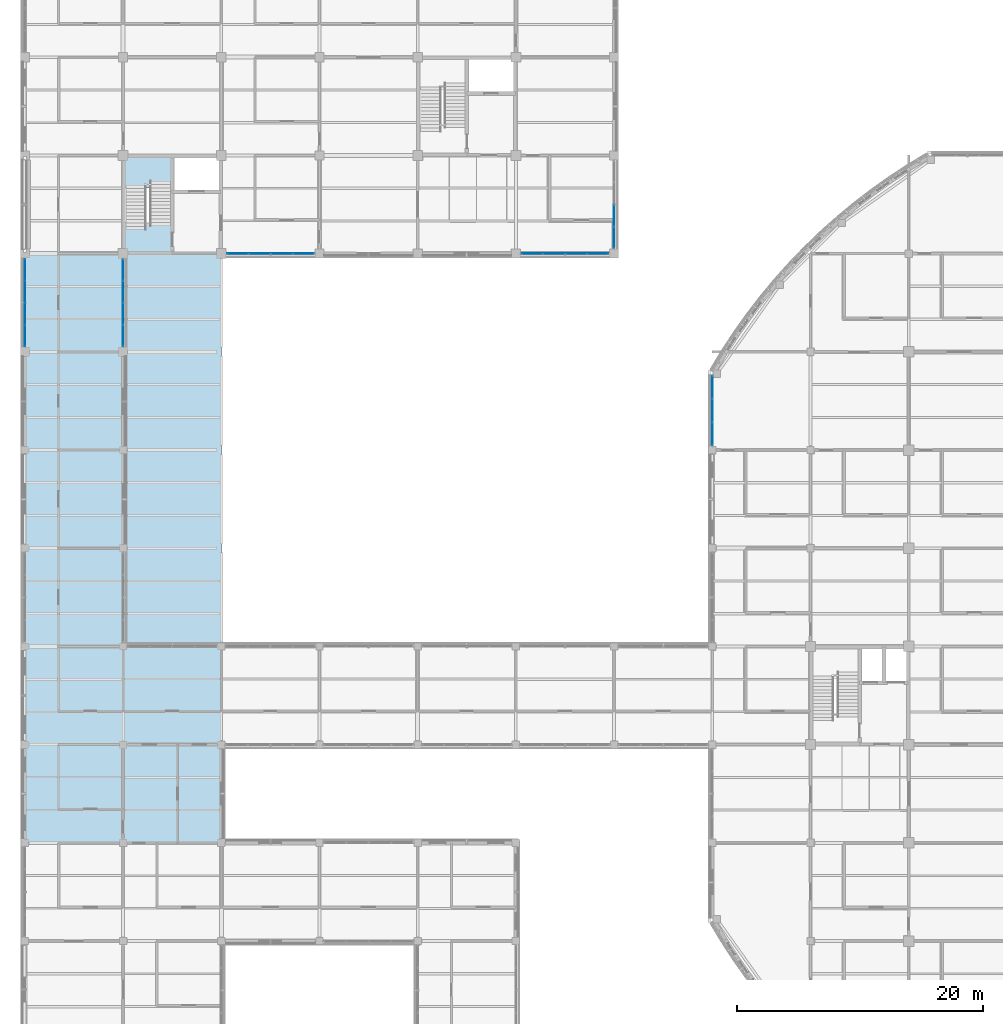
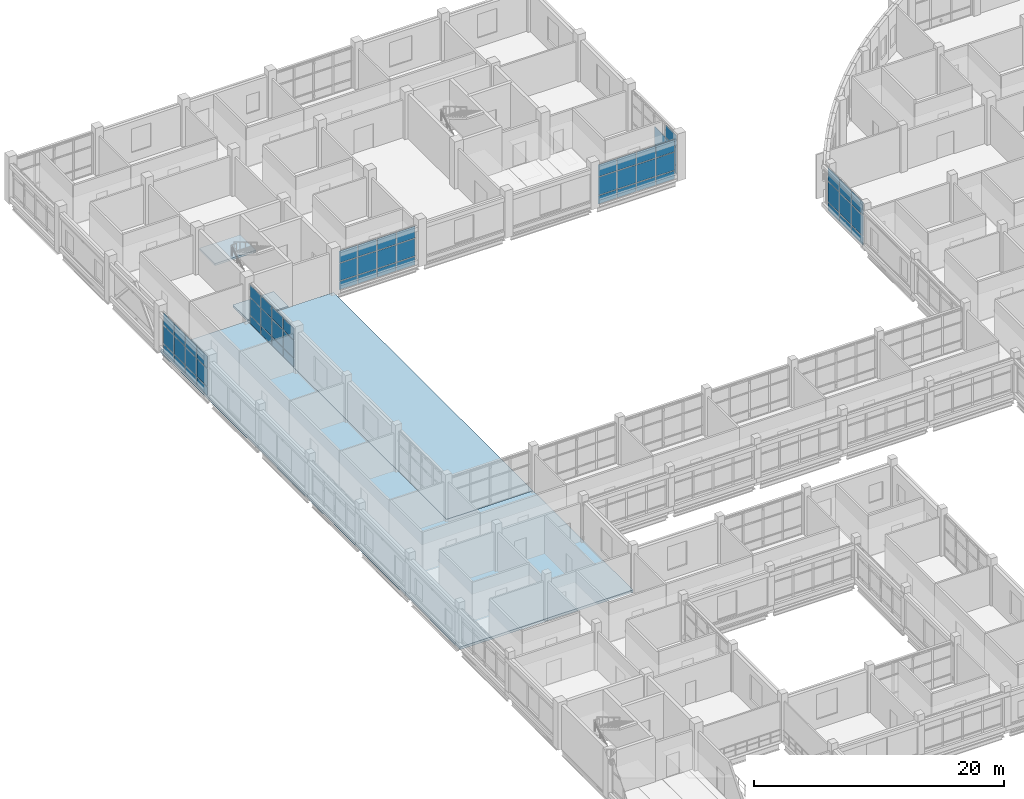
# One storey, part 66 of 121: 62 plates, 4 slabs, 7 elements without a shape of their own.
"""IFC4 building model written with IfcOpenShell, lengths in metres."""

from ifc_helpers import new_model, si_unit, derived_unit, direction, frame, origin, origin_2d, place, context, subcontext, project, spatial, polyline, rectangle, outline, extrude, material, layer, layer_set, type_object, element, aggregate, save


model = new_model("IFC4")

# Units and contexts
model_context = context("Model", 3, precision=1e-05, world=origin(), true_north=direction((0.0, 1.0)))
body_context = subcontext(model_context, "Body", "Model", "MODEL_VIEW")
ifc_project = project(units=[si_unit("LENGTHUNIT", "METRE"), si_unit("AREAUNIT", "SQUARE_METRE"), si_unit("VOLUMEUNIT", "CUBIC_METRE"), si_unit("PLANEANGLEUNIT", "RADIAN"), si_unit("MASSUNIT", "GRAM", prefix="KILO"), derived_unit("THERMALTRANSMITTANCEUNIT", [(si_unit("MASSUNIT", "GRAM", prefix="KILO"), 1), (si_unit("TIMEUNIT", "SECOND"), -3), (si_unit("THERMODYNAMICTEMPERATUREUNIT", "KELVIN"), -1)])], contexts=[model_context])

# Site, building, storey
site_placement = place(None, origin())
site = spatial("IfcSite", under=ifc_project, at=site_placement, CompositionType="ELEMENT")
building_placement = place(site_placement, origin())
building = spatial("IfcBuilding", under=site, at=building_placement, Name="Veyamyaing Civic Hall", CompositionType="ELEMENT")
storey_placement = place(building_placement, frame((0.0, 0.0, 5.280029296875)))
storey = spatial("IfcBuildingStorey", under=building, at=storey_placement, Name="L01", CompositionType="ELEMENT", Elevation=5.280029296875)

# Curtain wall, plates
ifc_material_1 = material(Name="Anodised aluminium 6063-T6", Category="aluminium")
ifc_layer_1 = layer(ifc_material_1, 0.159912109375, Name="Anodised aluminium 6063-T6")
ifc_layer_set_1 = layer_set([ifc_layer_1], Name="Anodised aluminium 6063-T6")
curtain_wall_type = type_object("IfcCurtainWallType", Name="CW-02", PredefinedType="NOTDEFINED", material=ifc_layer_set_1)
curtain_wall_1_placement = place(storey_placement, origin())
curtain_wall_1 = element("IfcCurtainWall", 1, at=curtain_wall_1_placement, inside=storey, type_object=curtain_wall_type, Name="Unitized curtain wall CW-02 L01 W 1.11", PredefinedType="NOTDEFINED")
ifc_material_2 = material(Name="Low-E insulated glass", Category="glass")
ifc_layer_2 = layer(ifc_material_2, 0.028076171875, Name="Low-E insulated glass")
ifc_layer_set_2 = layer_set([ifc_layer_2], Name="Low-E insulated glass")
plate_type_1 = type_object("IfcPlateType", Name="CWP-01", PredefinedType="CURTAIN_PANEL", material=ifc_layer_set_2)
plate_1_placement = place(storey_placement, frame((0.0, 81.320068359375, 0.06494140625), z_axis=(0.0, 0.0, 1.0), x_axis=(0.0, 1.0, 0.0)))
plate_1 = element("IfcPlate", 2, at=plate_1_placement, type_object=plate_type_1, Name="CW-02 panel 1.1", PredefinedType="CURTAIN_PANEL", context=body_context, shape_type="SweptSolid", body=[
    extrude(rectangle(XDim=1.699951171875, YDim=0.028076171875, at=origin_2d()), origin(), (0.0, 0.0, 1.0), 0.802490234375),
])
plate_2_placement = place(storey_placement, frame((0.0, 81.320068359375, 0.9326171875), z_axis=(0.0, 0.0, 1.0), x_axis=(0.0, 1.0, 0.0)))
plate_2 = element("IfcPlate", 3, at=plate_2_placement, type_object=plate_type_1, Name="CW-02 panel 1.2", PredefinedType="CURTAIN_PANEL", context=body_context, shape_type="SweptSolid", body=[
    extrude(rectangle(XDim=1.699951171875, YDim=0.028076171875, at=origin_2d()), origin(), (0.0, 0.0, 1.0), 1.739501953125),
])
plate_3_placement = place(storey_placement, frame((0.0, 81.320068359375, 2.73681640625), z_axis=(0.0, 0.0, 1.0), x_axis=(0.0, 1.0, 0.0)))
plate_3 = element("IfcPlate", 4, at=plate_3_placement, type_object=plate_type_1, Name="CW-02 panel 1.3", PredefinedType="CURTAIN_PANEL", context=body_context, shape_type="SweptSolid", body=[
    extrude(rectangle(XDim=1.699951171875, YDim=0.028076171875, at=origin_2d()), origin(), (0.0, 0.0, 1.0), 1.175048828125),
])
plate_4_placement = place(storey_placement, frame((0.0, 83.101318359375, 0.06494140625), z_axis=(0.0, 0.0, 1.0), x_axis=(0.0, 1.0, 0.0)))
plate_4 = element("IfcPlate", 5, at=plate_4_placement, type_object=plate_type_1, Name="CW-02 panel 2.1", PredefinedType="CURTAIN_PANEL", context=body_context, shape_type="SweptSolid", body=[
    extrude(rectangle(XDim=1.732421875, YDim=0.028076171875, at=origin_2d()), origin(), (0.0, 0.0, 1.0), 0.802490234375),
])
plate_5_placement = place(storey_placement, frame((0.0, 83.101318359375, 0.9326171875), z_axis=(0.0, 0.0, 1.0), x_axis=(0.0, 1.0, 0.0)))
plate_5 = element("IfcPlate", 6, at=plate_5_placement, type_object=plate_type_1, Name="CW-02 panel 2.2", PredefinedType="CURTAIN_PANEL", context=body_context, shape_type="SweptSolid", body=[
    extrude(rectangle(XDim=1.732421875, YDim=0.028076171875, at=origin_2d()), origin(), (0.0, 0.0, 1.0), 1.739501953125),
])
plate_6_placement = place(storey_placement, frame((0.0, 83.101318359375, 2.73681640625), z_axis=(0.0, 0.0, 1.0), x_axis=(0.0, 1.0, 0.0)))
plate_6 = element("IfcPlate", 7, at=plate_6_placement, type_object=plate_type_1, Name="CW-02 panel 2.3", PredefinedType="CURTAIN_PANEL", context=body_context, shape_type="SweptSolid", body=[
    extrude(rectangle(XDim=1.732421875, YDim=0.028076171875, at=origin_2d()), origin(), (0.0, 0.0, 1.0), 1.175048828125),
])
plate_7_placement = place(storey_placement, frame((0.0, 84.898681640625, 0.06494140625), z_axis=(0.0, 0.0, 1.0), x_axis=(0.0, 1.0, 0.0)))
plate_7 = element("IfcPlate", 8, at=plate_7_placement, type_object=plate_type_1, Name="CW-02 panel 3.1", PredefinedType="CURTAIN_PANEL", context=body_context, shape_type="SweptSolid", body=[
    extrude(rectangle(XDim=1.732421875, YDim=0.028076171875, at=origin_2d()), origin(), (0.0, 0.0, 1.0), 0.802490234375),
])
plate_8_placement = place(storey_placement, frame((0.0, 84.898681640625, 0.9326171875), z_axis=(0.0, 0.0, 1.0), x_axis=(0.0, 1.0, 0.0)))
plate_8 = element("IfcPlate", 9, at=plate_8_placement, type_object=plate_type_1, Name="CW-02 panel 3.2", PredefinedType="CURTAIN_PANEL", context=body_context, shape_type="SweptSolid", body=[
    extrude(rectangle(XDim=1.732421875, YDim=0.028076171875, at=origin_2d()), origin(), (0.0, 0.0, 1.0), 1.739501953125),
])
plate_9_placement = place(storey_placement, frame((0.0, 84.898681640625, 2.73681640625), z_axis=(0.0, 0.0, 1.0), x_axis=(0.0, 1.0, 0.0)))
plate_9 = element("IfcPlate", 10, at=plate_9_placement, type_object=plate_type_1, Name="CW-02 panel 3.3", PredefinedType="CURTAIN_PANEL", context=body_context, shape_type="SweptSolid", body=[
    extrude(rectangle(XDim=1.732421875, YDim=0.028076171875, at=origin_2d()), origin(), (0.0, 0.0, 1.0), 1.175048828125),
])
plate_10_placement = place(storey_placement, frame((0.0, 86.679931640625, 0.06494140625), z_axis=(0.0, 0.0, 1.0), x_axis=(0.0, 1.0, 0.0)))
plate_10 = element("IfcPlate", 11, at=plate_10_placement, type_object=plate_type_1, Name="CW-02 panel 4.1", PredefinedType="CURTAIN_PANEL", context=body_context, shape_type="SweptSolid", body=[
    extrude(rectangle(XDim=1.699951171875, YDim=0.028076171875, at=origin_2d()), origin(), (0.0, 0.0, 1.0), 0.802490234375),
])
plate_11_placement = place(storey_placement, frame((0.0, 86.679931640625, 0.9326171875), z_axis=(0.0, 0.0, 1.0), x_axis=(0.0, 1.0, 0.0)))
plate_11 = element("IfcPlate", 12, at=plate_11_placement, type_object=plate_type_1, Name="CW-02 panel 4.2", PredefinedType="CURTAIN_PANEL", context=body_context, shape_type="SweptSolid", body=[
    extrude(rectangle(XDim=1.699951171875, YDim=0.028076171875, at=origin_2d()), origin(), (0.0, 0.0, 1.0), 1.739501953125),
])
plate_12_placement = place(storey_placement, frame((0.0, 86.679931640625, 2.73681640625), z_axis=(0.0, 0.0, 1.0), x_axis=(0.0, 1.0, 0.0)))
plate_12 = element("IfcPlate", 13, at=plate_12_placement, type_object=plate_type_1, Name="CW-02 panel 4.3", PredefinedType="CURTAIN_PANEL", context=body_context, shape_type="SweptSolid", body=[
    extrude(rectangle(XDim=1.699951171875, YDim=0.028076171875, at=origin_2d()), origin(), (0.0, 0.0, 1.0), 1.175048828125),
])
aggregate(curtain_wall_1, [plate_1, plate_2, plate_3, plate_4, plate_5, plate_6, plate_7, plate_8, plate_9, plate_10, plate_11, plate_12])

curtain_wall_2_placement = place(storey_placement, origin())
curtain_wall_2 = element("IfcCurtainWall", 14, at=curtain_wall_2_placement, inside=storey, type_object=curtain_wall_type, Name="Unitized curtain wall CW-02 L01 E 1.11", PredefinedType="NOTDEFINED")
plate_13_placement = place(storey_placement, frame((8.0, 81.31689453125, 0.06494140625), z_axis=(0.0, 0.0, 1.0), x_axis=(0.0, 1.0, 0.0)))
plate_13 = element("IfcPlate", 15, at=plate_13_placement, type_object=plate_type_1, Name="CW-02 panel 1.1", PredefinedType="CURTAIN_PANEL", context=body_context, shape_type="SweptSolid", body=[
    extrude(rectangle(XDim=1.69384765625, YDim=0.028076171875, at=origin_2d()), origin(), (0.0, 0.0, 1.0), 0.802490234375),
])
plate_14_placement = place(storey_placement, frame((8.0, 81.31689453125, 0.932373046875), z_axis=(0.0, 0.0, 1.0), x_axis=(0.0, 1.0, 0.0)))
plate_14 = element("IfcPlate", 16, at=plate_14_placement, type_object=plate_type_1, Name="CW-02 panel 1.2", PredefinedType="CURTAIN_PANEL", context=body_context, shape_type="SweptSolid", body=[
    extrude(rectangle(XDim=1.69384765625, YDim=0.028076171875, at=origin_2d()), origin(), (0.0, 0.0, 1.0), 1.69384765625),
])
plate_15_placement = place(storey_placement, frame((8.0, 81.31689453125, 2.691162109375), z_axis=(0.0, 0.0, 1.0), x_axis=(0.0, 1.0, 0.0)))
plate_15 = element("IfcPlate", 17, at=plate_15_placement, type_object=plate_type_1, Name="CW-02 panel 1.3", PredefinedType="CURTAIN_PANEL", context=body_context, shape_type="SweptSolid", body=[
    extrude(rectangle(XDim=1.69384765625, YDim=0.028076171875, at=origin_2d()), origin(), (0.0, 0.0, 1.0), 1.15380859375),
])
plate_16_placement = place(storey_placement, frame((8.0, 83.091796875, 0.06494140625), z_axis=(0.0, 0.0, 1.0), x_axis=(0.0, 1.0, 0.0)))
plate_16 = element("IfcPlate", 18, at=plate_16_placement, type_object=plate_type_1, Name="CW-02 panel 2.1", PredefinedType="CURTAIN_PANEL", context=body_context, shape_type="SweptSolid", body=[
    extrude(rectangle(XDim=1.726318359375, YDim=0.028076171875, at=origin_2d()), origin(), (0.0, 0.0, 1.0), 0.802490234375),
])
plate_17_placement = place(storey_placement, frame((8.0, 83.091796875, 0.932373046875), z_axis=(0.0, 0.0, 1.0), x_axis=(0.0, 1.0, 0.0)))
plate_17 = element("IfcPlate", 19, at=plate_17_placement, type_object=plate_type_1, Name="CW-02 panel 2.2", PredefinedType="CURTAIN_PANEL", context=body_context, shape_type="SweptSolid", body=[
    extrude(rectangle(XDim=1.726318359375, YDim=0.028076171875, at=origin_2d()), origin(), (0.0, 0.0, 1.0), 1.69384765625),
])
plate_18_placement = place(storey_placement, frame((8.0, 83.091796875, 2.691162109375), z_axis=(0.0, 0.0, 1.0), x_axis=(0.0, 1.0, 0.0)))
plate_18 = element("IfcPlate", 20, at=plate_18_placement, type_object=plate_type_1, Name="CW-02 panel 2.3", PredefinedType="CURTAIN_PANEL", context=body_context, shape_type="SweptSolid", body=[
    extrude(rectangle(XDim=1.726318359375, YDim=0.028076171875, at=origin_2d()), origin(), (0.0, 0.0, 1.0), 1.15380859375),
])
plate_19_placement = place(storey_placement, frame((8.0, 84.883056640625, 0.06494140625), z_axis=(0.0, 0.0, 1.0), x_axis=(0.0, 1.0, 0.0)))
plate_19 = element("IfcPlate", 21, at=plate_19_placement, type_object=plate_type_1, Name="CW-02 panel 3.1", PredefinedType="CURTAIN_PANEL", context=body_context, shape_type="SweptSolid", body=[
    extrude(rectangle(XDim=1.726318359375, YDim=0.028076171875, at=origin_2d()), origin(), (0.0, 0.0, 1.0), 0.802490234375),
])
plate_20_placement = place(storey_placement, frame((8.0, 84.883056640625, 0.932373046875), z_axis=(0.0, 0.0, 1.0), x_axis=(0.0, 1.0, 0.0)))
plate_20 = element("IfcPlate", 22, at=plate_20_placement, type_object=plate_type_1, Name="CW-02 panel 3.2", PredefinedType="CURTAIN_PANEL", context=body_context, shape_type="SweptSolid", body=[
    extrude(rectangle(XDim=1.726318359375, YDim=0.028076171875, at=origin_2d()), origin(), (0.0, 0.0, 1.0), 1.69384765625),
])
plate_21_placement = place(storey_placement, frame((8.0, 84.883056640625, 2.691162109375), z_axis=(0.0, 0.0, 1.0), x_axis=(0.0, 1.0, 0.0)))
plate_21 = element("IfcPlate", 23, at=plate_21_placement, type_object=plate_type_1, Name="CW-02 panel 3.3", PredefinedType="CURTAIN_PANEL", context=body_context, shape_type="SweptSolid", body=[
    extrude(rectangle(XDim=1.726318359375, YDim=0.028076171875, at=origin_2d()), origin(), (0.0, 0.0, 1.0), 1.15380859375),
])
plate_22_placement = place(storey_placement, frame((8.0, 86.658203125, 0.06494140625), z_axis=(0.0, 0.0, 1.0), x_axis=(0.0, 1.0, 0.0)))
plate_22 = element("IfcPlate", 24, at=plate_22_placement, type_object=plate_type_1, Name="CW-02 panel 4.1", PredefinedType="CURTAIN_PANEL", context=body_context, shape_type="SweptSolid", body=[
    extrude(rectangle(XDim=1.69384765625, YDim=0.028076171875, at=origin_2d()), origin(), (0.0, 0.0, 1.0), 0.802490234375),
])
plate_23_placement = place(storey_placement, frame((8.0, 86.658203125, 0.932373046875), z_axis=(0.0, 0.0, 1.0), x_axis=(0.0, 1.0, 0.0)))
plate_23 = element("IfcPlate", 25, at=plate_23_placement, type_object=plate_type_1, Name="CW-02 panel 4.2", PredefinedType="CURTAIN_PANEL", context=body_context, shape_type="SweptSolid", body=[
    extrude(rectangle(XDim=1.69384765625, YDim=0.028076171875, at=origin_2d()), origin(), (0.0, 0.0, 1.0), 1.69384765625),
])
plate_24_placement = place(storey_placement, frame((8.0, 86.658203125, 2.691162109375), z_axis=(0.0, 0.0, 1.0), x_axis=(0.0, 1.0, 0.0)))
plate_24 = element("IfcPlate", 26, at=plate_24_placement, type_object=plate_type_1, Name="CW-02 panel 4.3", PredefinedType="CURTAIN_PANEL", context=body_context, shape_type="SweptSolid", body=[
    extrude(rectangle(XDim=1.69384765625, YDim=0.028076171875, at=origin_2d()), origin(), (0.0, 0.0, 1.0), 1.15380859375),
])
aggregate(curtain_wall_2, [plate_13, plate_14, plate_15, plate_16, plate_17, plate_18, plate_19, plate_20, plate_21, plate_22, plate_23, plate_24])

curtain_wall_3_placement = place(storey_placement, origin())
curtain_wall_3 = element("IfcCurtainWall", 27, at=curtain_wall_3_placement, inside=storey, type_object=curtain_wall_type, Name="Unitized curtain wall CW-02 L01 S 6.12", PredefinedType="NOTDEFINED")
plate_25_placement = place(storey_placement, frame((41.320068359375, 88.0, 0.06494140625), z_axis=(0.0, 0.0, 1.0), x_axis=(1.0, 0.0, 0.0)))
plate_25 = element("IfcPlate", 28, at=plate_25_placement, type_object=plate_type_1, Name="CW-02 panel 1.1", PredefinedType="CURTAIN_PANEL", context=body_context, shape_type="SweptSolid", body=[
    extrude(rectangle(XDim=1.699951171875, YDim=0.028076171875, at=origin_2d()), origin(), (0.0, 0.0, 1.0), 0.802490234375),
])
plate_26_placement = place(storey_placement, frame((41.320068359375, 88.0, 0.932373046875), z_axis=(0.0, 0.0, 1.0), x_axis=(1.0, 0.0, 0.0)))
plate_26 = element("IfcPlate", 29, at=plate_26_placement, type_object=plate_type_1, Name="CW-02 panel 1.2", PredefinedType="CURTAIN_PANEL", context=body_context, shape_type="SweptSolid", body=[
    extrude(rectangle(XDim=1.699951171875, YDim=0.028076171875, at=origin_2d()), origin(), (0.0, 0.0, 1.0), 1.7373046875),
])
plate_27_placement = place(storey_placement, frame((41.320068359375, 88.0, 2.734619140625), z_axis=(0.0, 0.0, 1.0), x_axis=(1.0, 0.0, 0.0)))
plate_27 = element("IfcPlate", 30, at=plate_27_placement, type_object=plate_type_1, Name="CW-02 panel 1.3", PredefinedType="CURTAIN_PANEL", context=body_context, shape_type="SweptSolid", body=[
    extrude(rectangle(XDim=1.699951171875, YDim=0.028076171875, at=origin_2d()), origin(), (0.0, 0.0, 1.0), 1.17431640625),
])
plate_28_placement = place(storey_placement, frame((43.101318359375, 88.0, 0.06494140625), z_axis=(0.0, 0.0, 1.0), x_axis=(1.0, 0.0, 0.0)))
plate_28 = element("IfcPlate", 31, at=plate_28_placement, type_object=plate_type_1, Name="CW-02 panel 2.1", PredefinedType="CURTAIN_PANEL", context=body_context, shape_type="SweptSolid", body=[
    extrude(rectangle(XDim=1.732421875, YDim=0.028076171875, at=origin_2d()), origin(), (0.0, 0.0, 1.0), 0.802490234375),
])
plate_29_placement = place(storey_placement, frame((43.101318359375, 88.0, 0.932373046875), z_axis=(0.0, 0.0, 1.0), x_axis=(1.0, 0.0, 0.0)))
plate_29 = element("IfcPlate", 32, at=plate_29_placement, type_object=plate_type_1, Name="CW-02 panel 2.2", PredefinedType="CURTAIN_PANEL", context=body_context, shape_type="SweptSolid", body=[
    extrude(rectangle(XDim=1.732421875, YDim=0.028076171875, at=origin_2d()), origin(), (0.0, 0.0, 1.0), 1.7373046875),
])
plate_30_placement = place(storey_placement, frame((43.101318359375, 88.0, 2.734619140625), z_axis=(0.0, 0.0, 1.0), x_axis=(1.0, 0.0, 0.0)))
plate_30 = element("IfcPlate", 33, at=plate_30_placement, type_object=plate_type_1, Name="CW-02 panel 2.3", PredefinedType="CURTAIN_PANEL", context=body_context, shape_type="SweptSolid", body=[
    extrude(rectangle(XDim=1.732421875, YDim=0.028076171875, at=origin_2d()), origin(), (0.0, 0.0, 1.0), 1.17431640625),
])
plate_31_placement = place(storey_placement, frame((44.898681640625, 88.0, 0.06494140625), z_axis=(0.0, 0.0, 1.0), x_axis=(1.0, 0.0, 0.0)))
plate_31 = element("IfcPlate", 34, at=plate_31_placement, type_object=plate_type_1, Name="CW-02 panel 3.1", PredefinedType="CURTAIN_PANEL", context=body_context, shape_type="SweptSolid", body=[
    extrude(rectangle(XDim=1.732421875, YDim=0.028076171875, at=origin_2d()), origin(), (0.0, 0.0, 1.0), 0.802490234375),
])
plate_32_placement = place(storey_placement, frame((44.898681640625, 88.0, 0.932373046875), z_axis=(0.0, 0.0, 1.0), x_axis=(1.0, 0.0, 0.0)))
plate_32 = element("IfcPlate", 35, at=plate_32_placement, type_object=plate_type_1, Name="CW-02 panel 3.2", PredefinedType="CURTAIN_PANEL", context=body_context, shape_type="SweptSolid", body=[
    extrude(rectangle(XDim=1.732421875, YDim=0.028076171875, at=origin_2d()), origin(), (0.0, 0.0, 1.0), 1.7373046875),
])
plate_33_placement = place(storey_placement, frame((44.898681640625, 88.0, 2.734619140625), z_axis=(0.0, 0.0, 1.0), x_axis=(1.0, 0.0, 0.0)))
plate_33 = element("IfcPlate", 36, at=plate_33_placement, type_object=plate_type_1, Name="CW-02 panel 3.3", PredefinedType="CURTAIN_PANEL", context=body_context, shape_type="SweptSolid", body=[
    extrude(rectangle(XDim=1.732421875, YDim=0.028076171875, at=origin_2d()), origin(), (0.0, 0.0, 1.0), 1.17431640625),
])
plate_34_placement = place(storey_placement, frame((46.679931640625, 88.0, 0.06494140625), z_axis=(0.0, 0.0, 1.0), x_axis=(1.0, 0.0, 0.0)))
plate_34 = element("IfcPlate", 37, at=plate_34_placement, type_object=plate_type_1, Name="CW-02 panel 4.1", PredefinedType="CURTAIN_PANEL", context=body_context, shape_type="SweptSolid", body=[
    extrude(rectangle(XDim=1.699951171875, YDim=0.028076171875, at=origin_2d()), origin(), (0.0, 0.0, 1.0), 0.802490234375),
])
plate_35_placement = place(storey_placement, frame((46.679931640625, 88.0, 0.932373046875), z_axis=(0.0, 0.0, 1.0), x_axis=(1.0, 0.0, 0.0)))
plate_35 = element("IfcPlate", 38, at=plate_35_placement, type_object=plate_type_1, Name="CW-02 panel 4.2", PredefinedType="CURTAIN_PANEL", context=body_context, shape_type="SweptSolid", body=[
    extrude(rectangle(XDim=1.699951171875, YDim=0.028076171875, at=origin_2d()), origin(), (0.0, 0.0, 1.0), 1.7373046875),
])
plate_36_placement = place(storey_placement, frame((46.679931640625, 88.0, 2.734619140625), z_axis=(0.0, 0.0, 1.0), x_axis=(1.0, 0.0, 0.0)))
plate_36 = element("IfcPlate", 39, at=plate_36_placement, type_object=plate_type_1, Name="CW-02 panel 4.3", PredefinedType="CURTAIN_PANEL", context=body_context, shape_type="SweptSolid", body=[
    extrude(rectangle(XDim=1.699951171875, YDim=0.028076171875, at=origin_2d()), origin(), (0.0, 0.0, 1.0), 1.17431640625),
])
aggregate(curtain_wall_3, [plate_25, plate_26, plate_27, plate_28, plate_29, plate_30, plate_31, plate_32, plate_33, plate_34, plate_35, plate_36])

curtain_wall_4_placement = place(storey_placement, origin())
curtain_wall_4 = element("IfcCurtainWall", 40, at=curtain_wall_4_placement, inside=storey, type_object=curtain_wall_type, Name="Unitized curtain wall CW-02 L01 E 6.12", PredefinedType="NOTDEFINED")
plate_37_placement = place(storey_placement, frame((48.0, 89.320068359375, 0.06494140625), z_axis=(0.0, 0.0, 1.0), x_axis=(0.0, 1.0, 0.0)))
plate_37 = element("IfcPlate", 41, at=plate_37_placement, type_object=plate_type_1, Name="CW-02 panel 1.1", PredefinedType="CURTAIN_PANEL", context=body_context, shape_type="SweptSolid", body=[
    extrude(rectangle(XDim=1.699951171875, YDim=0.028076171875, at=origin_2d()), origin(), (0.0, 0.0, 1.0), 0.802490234375),
])
plate_38_placement = place(storey_placement, frame((48.0, 89.320068359375, 0.9326171875), z_axis=(0.0, 0.0, 1.0), x_axis=(0.0, 1.0, 0.0)))
plate_38 = element("IfcPlate", 42, at=plate_38_placement, type_object=plate_type_1, Name="CW-02 panel 1.2", PredefinedType="CURTAIN_PANEL", context=body_context, shape_type="SweptSolid", body=[
    extrude(rectangle(XDim=1.699951171875, YDim=0.028076171875, at=origin_2d()), origin(), (0.0, 0.0, 1.0), 1.696533203125),
])
plate_39_placement = place(storey_placement, frame((48.0, 89.320068359375, 2.69384765625), z_axis=(0.0, 0.0, 1.0), x_axis=(0.0, 1.0, 0.0)))
plate_39 = element("IfcPlate", 43, at=plate_39_placement, type_object=plate_type_1, Name="CW-02 panel 1.3", PredefinedType="CURTAIN_PANEL", context=body_context, shape_type="SweptSolid", body=[
    extrude(rectangle(XDim=1.699951171875, YDim=0.028076171875, at=origin_2d()), origin(), (0.0, 0.0, 1.0), 1.155029296875),
])
plate_40_placement = place(storey_placement, frame((48.0, 91.101318359375, 0.06494140625), z_axis=(0.0, 0.0, 1.0), x_axis=(0.0, 1.0, 0.0)))
plate_40 = element("IfcPlate", 44, at=plate_40_placement, type_object=plate_type_1, Name="CW-02 panel 2.1", PredefinedType="CURTAIN_PANEL", context=body_context, shape_type="SweptSolid", body=[
    extrude(rectangle(XDim=1.732421875, YDim=0.028076171875, at=origin_2d()), origin(), (0.0, 0.0, 1.0), 0.802490234375),
])
plate_41_placement = place(storey_placement, frame((48.0, 91.101318359375, 0.9326171875), z_axis=(0.0, 0.0, 1.0), x_axis=(0.0, 1.0, 0.0)))
plate_41 = element("IfcPlate", 45, at=plate_41_placement, type_object=plate_type_1, Name="CW-02 panel 2.2", PredefinedType="CURTAIN_PANEL", context=body_context, shape_type="SweptSolid", body=[
    extrude(rectangle(XDim=1.732421875, YDim=0.028076171875, at=origin_2d()), origin(), (0.0, 0.0, 1.0), 1.696533203125),
])
aggregate(curtain_wall_4, [plate_37, plate_38, plate_39, plate_40, plate_41])

curtain_wall_5_placement = place(storey_placement, origin())
curtain_wall_5 = element("IfcCurtainWall", 46, at=curtain_wall_5_placement, inside=storey, type_object=curtain_wall_type, Name="Unitized curtain wall CW-02 L01 W 8.10", PredefinedType="NOTDEFINED")
plate_42_placement = place(storey_placement, frame((56.0, 73.30810546875, 0.06494140625), z_axis=(0.0, 0.0, 1.0), x_axis=(0.0, 1.0, 0.0)))
plate_42 = element("IfcPlate", 47, at=plate_42_placement, type_object=plate_type_1, Name="CW-02 panel 1.1", PredefinedType="CURTAIN_PANEL", context=body_context, shape_type="SweptSolid", body=[
    extrude(rectangle(XDim=1.826171875, YDim=0.028076171875, at=origin_2d()), origin(), (0.0, 0.0, 1.0), 0.802490234375),
])
plate_43_placement = place(storey_placement, frame((56.0, 73.30810546875, 0.932373046875), z_axis=(0.0, 0.0, 1.0), x_axis=(0.0, 1.0, 0.0)))
plate_43 = element("IfcPlate", 48, at=plate_43_placement, type_object=plate_type_1, Name="CW-02 panel 1.2", PredefinedType="CURTAIN_PANEL", context=body_context, shape_type="SweptSolid", body=[
    extrude(rectangle(XDim=1.826171875, YDim=0.028076171875, at=origin_2d()), origin(), (0.0, 0.0, 1.0), 1.98291015625),
])
plate_44_placement = place(storey_placement, frame((56.0, 73.30810546875, 2.97998046875), z_axis=(0.0, 0.0, 1.0), x_axis=(0.0, 1.0, 0.0)))
plate_44 = element("IfcPlate", 49, at=plate_44_placement, type_object=plate_type_1, Name="CW-02 panel 1.3", PredefinedType="CURTAIN_PANEL", context=body_context, shape_type="SweptSolid", body=[
    extrude(rectangle(XDim=1.826171875, YDim=0.028076171875, at=origin_2d()), origin(), (0.0, 0.0, 1.0), 1.289794921875),
])
plate_45_placement = place(storey_placement, frame((56.0, 75.21533203125, 0.06494140625), z_axis=(0.0, 0.0, 1.0), x_axis=(0.0, 1.0, 0.0)))
plate_45 = element("IfcPlate", 50, at=plate_45_placement, type_object=plate_type_1, Name="CW-02 panel 2.1", PredefinedType="CURTAIN_PANEL", context=body_context, shape_type="SweptSolid", body=[
    extrude(rectangle(XDim=1.858642578125, YDim=0.028076171875, at=origin_2d()), origin(), (0.0, 0.0, 1.0), 0.802490234375),
])
plate_46_placement = place(storey_placement, frame((56.0, 75.21533203125, 0.932373046875), z_axis=(0.0, 0.0, 1.0), x_axis=(0.0, 1.0, 0.0)))
plate_46 = element("IfcPlate", 51, at=plate_46_placement, type_object=plate_type_1, Name="CW-02 panel 2.2", PredefinedType="CURTAIN_PANEL", context=body_context, shape_type="SweptSolid", body=[
    extrude(rectangle(XDim=1.858642578125, YDim=0.028076171875, at=origin_2d()), origin(), (0.0, 0.0, 1.0), 1.98291015625),
])
plate_47_placement = place(storey_placement, frame((56.0, 75.21533203125, 2.97998046875), z_axis=(0.0, 0.0, 1.0), x_axis=(0.0, 1.0, 0.0)))
plate_47 = element("IfcPlate", 52, at=plate_47_placement, type_object=plate_type_1, Name="CW-02 panel 2.3", PredefinedType="CURTAIN_PANEL", context=body_context, shape_type="SweptSolid", body=[
    extrude(rectangle(XDim=1.858642578125, YDim=0.028076171875, at=origin_2d()), origin(), (0.0, 0.0, 1.0), 1.289794921875),
])
plate_48_placement = place(storey_placement, frame((56.0, 77.122802734375, 0.06494140625), z_axis=(0.0, 0.0, 1.0), x_axis=(0.0, 1.0, 0.0)))
plate_48 = element("IfcPlate", 53, at=plate_48_placement, type_object=plate_type_1, Name="CW-02 panel 3.1", PredefinedType="CURTAIN_PANEL", context=body_context, shape_type="SweptSolid", body=[
    extrude(rectangle(XDim=1.826171875, YDim=0.028076171875, at=origin_2d()), origin(), (0.0, 0.0, 1.0), 0.802490234375),
])
plate_49_placement = place(storey_placement, frame((56.0, 77.122802734375, 0.932373046875), z_axis=(0.0, 0.0, 1.0), x_axis=(0.0, 1.0, 0.0)))
plate_49 = element("IfcPlate", 54, at=plate_49_placement, type_object=plate_type_1, Name="CW-02 panel 3.2", PredefinedType="CURTAIN_PANEL", context=body_context, shape_type="SweptSolid", body=[
    extrude(rectangle(XDim=1.826171875, YDim=0.028076171875, at=origin_2d()), origin(), (0.0, 0.0, 1.0), 1.98291015625),
])
plate_50_placement = place(storey_placement, frame((56.0, 77.122802734375, 2.97998046875), z_axis=(0.0, 0.0, 1.0), x_axis=(0.0, 1.0, 0.0)))
plate_50 = element("IfcPlate", 55, at=plate_50_placement, type_object=plate_type_1, Name="CW-02 panel 3.3", PredefinedType="CURTAIN_PANEL", context=body_context, shape_type="SweptSolid", body=[
    extrude(rectangle(XDim=1.826171875, YDim=0.028076171875, at=origin_2d()), origin(), (0.0, 0.0, 1.0), 1.289794921875),
])
aggregate(curtain_wall_5, [plate_42, plate_43, plate_44, plate_45, plate_46, plate_47, plate_48, plate_49, plate_50])

curtain_wall_6_placement = place(storey_placement, origin())
curtain_wall_6 = element("IfcCurtainWall", 56, at=curtain_wall_6_placement, inside=storey, type_object=curtain_wall_type, Name="Unitized curtain wall CW-02 L01 S 3.12", PredefinedType="NOTDEFINED")
ifc_layer_3 = layer(ifc_material_2, 0.02392578125, Name="Low-E insulated glass")
ifc_layer_set_3 = layer_set([ifc_layer_3], Name="Low-E insulated glass")
plate_type_2 = type_object("IfcPlateType", Name="CWP-04", PredefinedType="CURTAIN_PANEL", material=ifc_layer_set_3)
plate_51_placement = place(storey_placement, frame((17.341796875, 88.0, 0.06494140625), z_axis=(0.0, 0.0, 1.0), x_axis=(1.0, 0.0, 0.0)))
plate_51 = element("IfcPlate", 57, at=plate_51_placement, type_object=plate_type_2, Name="CW-02 panel 1.1", PredefinedType="CURTAIN_PANEL", context=body_context, shape_type="SweptSolid", body=[
    extrude(rectangle(XDim=1.69384765625, YDim=0.02392578125, at=origin_2d()), origin(), (0.0, 0.0, 1.0), 0.802490234375),
])
plate_52_placement = place(storey_placement, frame((17.341796875, 88.0, 0.9326171875), z_axis=(0.0, 0.0, 1.0), x_axis=(1.0, 0.0, 0.0)))
plate_52 = element("IfcPlate", 58, at=plate_52_placement, type_object=plate_type_2, Name="CW-02 panel 1.2", PredefinedType="CURTAIN_PANEL", context=body_context, shape_type="SweptSolid", body=[
    extrude(rectangle(XDim=1.69384765625, YDim=0.02392578125, at=origin_2d()), origin(), (0.0, 0.0, 1.0), 1.696533203125),
])
plate_53_placement = place(storey_placement, frame((17.341796875, 88.0, 2.69384765625), z_axis=(0.0, 0.0, 1.0), x_axis=(1.0, 0.0, 0.0)))
plate_53 = element("IfcPlate", 59, at=plate_53_placement, type_object=plate_type_2, Name="CW-02 panel 1.3", PredefinedType="CURTAIN_PANEL", context=body_context, shape_type="SweptSolid", body=[
    extrude(rectangle(XDim=1.69384765625, YDim=0.02392578125, at=origin_2d()), origin(), (0.0, 0.0, 1.0), 1.155029296875),
])
plate_54_placement = place(storey_placement, frame((19.116943359375, 88.0, 0.06494140625), z_axis=(0.0, 0.0, 1.0), x_axis=(1.0, 0.0, 0.0)))
plate_54 = element("IfcPlate", 60, at=plate_54_placement, type_object=plate_type_2, Name="CW-02 panel 2.1", PredefinedType="CURTAIN_PANEL", context=body_context, shape_type="SweptSolid", body=[
    extrude(rectangle(XDim=1.726318359375, YDim=0.02392578125, at=origin_2d()), origin(), (0.0, 0.0, 1.0), 0.802490234375),
])
plate_55_placement = place(storey_placement, frame((19.116943359375, 88.0, 0.9326171875), z_axis=(0.0, 0.0, 1.0), x_axis=(1.0, 0.0, 0.0)))
plate_55 = element("IfcPlate", 61, at=plate_55_placement, type_object=plate_type_2, Name="CW-02 panel 2.2", PredefinedType="CURTAIN_PANEL", context=body_context, shape_type="SweptSolid", body=[
    extrude(rectangle(XDim=1.726318359375, YDim=0.02392578125, at=origin_2d()), origin(), (0.0, 0.0, 1.0), 1.696533203125),
])
plate_56_placement = place(storey_placement, frame((19.116943359375, 88.0, 2.69384765625), z_axis=(0.0, 0.0, 1.0), x_axis=(1.0, 0.0, 0.0)))
plate_56 = element("IfcPlate", 62, at=plate_56_placement, type_object=plate_type_2, Name="CW-02 panel 2.3", PredefinedType="CURTAIN_PANEL", context=body_context, shape_type="SweptSolid", body=[
    extrude(rectangle(XDim=1.726318359375, YDim=0.02392578125, at=origin_2d()), origin(), (0.0, 0.0, 1.0), 1.155029296875),
])
plate_57_placement = place(storey_placement, frame((20.908203125, 88.0, 0.06494140625), z_axis=(0.0, 0.0, 1.0), x_axis=(1.0, 0.0, 0.0)))
plate_57 = element("IfcPlate", 63, at=plate_57_placement, type_object=plate_type_2, Name="CW-02 panel 3.1", PredefinedType="CURTAIN_PANEL", context=body_context, shape_type="SweptSolid", body=[
    extrude(rectangle(XDim=1.726318359375, YDim=0.02392578125, at=origin_2d()), origin(), (0.0, 0.0, 1.0), 0.802490234375),
])
plate_58_placement = place(storey_placement, frame((20.908203125, 88.0, 0.9326171875), z_axis=(0.0, 0.0, 1.0), x_axis=(1.0, 0.0, 0.0)))
plate_58 = element("IfcPlate", 64, at=plate_58_placement, type_object=plate_type_2, Name="CW-02 panel 3.2", PredefinedType="CURTAIN_PANEL", context=body_context, shape_type="SweptSolid", body=[
    extrude(rectangle(XDim=1.726318359375, YDim=0.02392578125, at=origin_2d()), origin(), (0.0, 0.0, 1.0), 1.696533203125),
])
plate_59_placement = place(storey_placement, frame((20.908203125, 88.0, 2.69384765625), z_axis=(0.0, 0.0, 1.0), x_axis=(1.0, 0.0, 0.0)))
plate_59 = element("IfcPlate", 65, at=plate_59_placement, type_object=plate_type_2, Name="CW-02 panel 3.3", PredefinedType="CURTAIN_PANEL", context=body_context, shape_type="SweptSolid", body=[
    extrude(rectangle(XDim=1.726318359375, YDim=0.02392578125, at=origin_2d()), origin(), (0.0, 0.0, 1.0), 1.155029296875),
])
plate_60_placement = place(storey_placement, frame((22.68310546875, 88.0, 0.06494140625), z_axis=(0.0, 0.0, 1.0), x_axis=(1.0, 0.0, 0.0)))
plate_60 = element("IfcPlate", 66, at=plate_60_placement, type_object=plate_type_2, Name="CW-02 panel 4.1", PredefinedType="CURTAIN_PANEL", context=body_context, shape_type="SweptSolid", body=[
    extrude(rectangle(XDim=1.69384765625, YDim=0.02392578125, at=origin_2d()), origin(), (0.0, 0.0, 1.0), 0.802490234375),
])
plate_61_placement = place(storey_placement, frame((22.68310546875, 88.0, 0.9326171875), z_axis=(0.0, 0.0, 1.0), x_axis=(1.0, 0.0, 0.0)))
plate_61 = element("IfcPlate", 67, at=plate_61_placement, type_object=plate_type_2, Name="CW-02 panel 4.2", PredefinedType="CURTAIN_PANEL", context=body_context, shape_type="SweptSolid", body=[
    extrude(rectangle(XDim=1.69384765625, YDim=0.02392578125, at=origin_2d()), origin(), (0.0, 0.0, 1.0), 1.696533203125),
])
plate_62_placement = place(storey_placement, frame((22.68310546875, 88.0, 2.69384765625), z_axis=(0.0, 0.0, 1.0), x_axis=(1.0, 0.0, 0.0)))
plate_62 = element("IfcPlate", 68, at=plate_62_placement, type_object=plate_type_2, Name="CW-02 panel 4.3", PredefinedType="CURTAIN_PANEL", context=body_context, shape_type="SweptSolid", body=[
    extrude(rectangle(XDim=1.69384765625, YDim=0.02392578125, at=origin_2d()), origin(), (0.0, 0.0, 1.0), 1.155029296875),
])
aggregate(curtain_wall_6, [plate_51, plate_52, plate_53, plate_54, plate_55, plate_56, plate_57, plate_58, plate_59, plate_60, plate_61, plate_62])

# Slabs
ifc_material_3 = material(Name="Concrete C40/50", Category="concrete")
ifc_layer_4 = layer(ifc_material_3, 0.2451171875, Name="Concrete C40/50")
ifc_layer_set_4 = layer_set([ifc_layer_4], Name="Concrete C40/50")
slab_type_1 = type_object("IfcSlabType", Name="SL-03", PredefinedType="FLOOR", material=ifc_layer_set_4)
slab_1_placement = place(storey_placement, frame((0.0, 0.0, -0.2451171875)))
element("IfcSlab", 69, at=slab_1_placement, inside=storey, type_object=slab_type_1, Name="Floor slab SL-03 L01 V4SW.1", PredefinedType="FLOOR", context=body_context, shape_type="SweptSolid", body=[
    extrude(outline(polyline([(0.0, 40.0), (0.0, 88.0), (8.0, 88.0), (8.0, 56.0), (16.0, 56.0), (16.0, 40.0), (0.0, 40.0)])), origin(), (0.0, 0.0, 1.0), 0.2451171875),
])
ifc_layer_5 = layer(ifc_material_3, 0.239990234375, Name="Concrete C40/50")
ifc_layer_set_5 = layer_set([ifc_layer_5], Name="Concrete C40/50")
slab_type_2 = type_object("IfcSlabType", Name="SL-15", PredefinedType="ROOF", material=ifc_layer_set_5)
slab_2_placement = place(storey_placement, frame((0.0, 0.0, -0.239990234375)))
element("IfcSlab", 70, at=slab_2_placement, inside=storey, type_object=slab_type_2, Name="Roof slab SL-15 L01 V4SW.1", PredefinedType="ROOF", context=body_context, shape_type="SweptSolid", body=[
    extrude(outline(polyline([(8.0, 56.0), (8.0, 88.0), (16.0, 88.0), (16.0, 56.0), (8.0, 56.0)])), origin(), (0.0, 0.0, 1.0), 0.239990234375),
])
ifc_layer_6 = layer(ifc_material_3, 0.199951171875, Name="Concrete C40/50")
ifc_layer_set_6 = layer_set([ifc_layer_6], Name="Concrete C40/50")
slab_type_3 = type_object("IfcSlabType", Name="SL-16", PredefinedType="FLOOR", material=ifc_layer_set_6)
slab_3_placement = place(storey_placement, frame((0.0, 0.0, -0.199951171875)))
element("IfcSlab", 71, at=slab_3_placement, inside=storey, type_object=slab_type_3, Name="Stair floor landing slab SL-16 ST-01 L01", PredefinedType="FLOOR", context=body_context, shape_type="SweptSolid", body=[
    extrude(outline(polyline([(8.139892578125, 88.139892578125), (11.909912109375, 88.139892578125), (11.909912109375, 90.52001953125), (8.139892578125, 90.52001953125), (8.139892578125, 88.139892578125)])), origin(), (0.0, 0.0, 1.0), 0.199951171875),
])

# Stair, slab
stair_type = type_object("IfcStairType", Name="ST-C", PredefinedType="HALF_TURN_STAIR", material=ifc_material_3)
stair_placement = place(storey_placement, origin())
stair = element("IfcStair", 72, at=stair_placement, inside=storey, type_object=stair_type, Name="Protected exit stair ST-01 L01", PredefinedType="HALF_TURN_STAIR")
ifc_layer_7 = layer(ifc_material_3, 0.195068359375, Name="Concrete C40/50")
ifc_layer_set_7 = layer_set([ifc_layer_7], Name="Concrete C40/50")
slab_type_4 = type_object("IfcSlabType", Name="SL-LND", PredefinedType="LANDING", material=ifc_layer_set_7)
slab_4_placement = place(storey_placement, frame((0.0, 0.0, 2.114990234375)))
slab_4 = element("IfcSlab", 73, at=slab_4_placement, type_object=slab_type_4, Name="ST-01 landing 1", PredefinedType="LANDING", context=body_context, shape_type="SweptSolid", body=[
    extrude(outline(polyline([(8.139892578125, 93.35009765625), (11.909912109375, 93.35009765625), (11.909912109375, 95.860107421875), (8.139892578125, 95.860107421875), (8.139892578125, 93.35009765625)])), origin(), (0.0, 0.0, 1.0), 0.195068359375),
])
aggregate(stair, [slab_4])

save(model, "model.ifc")
